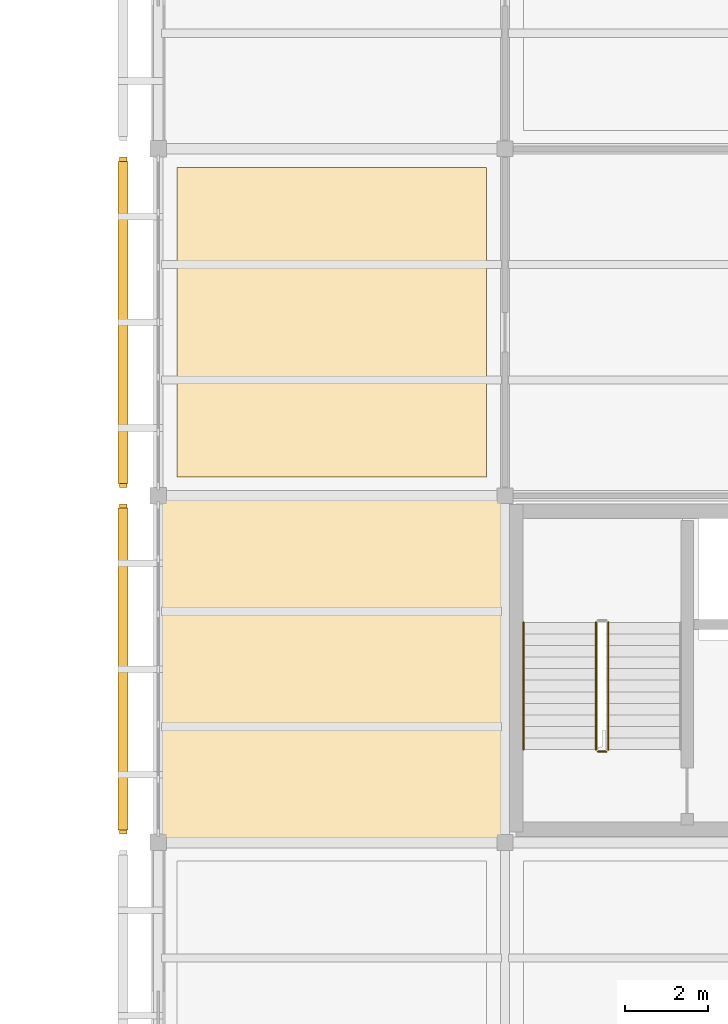
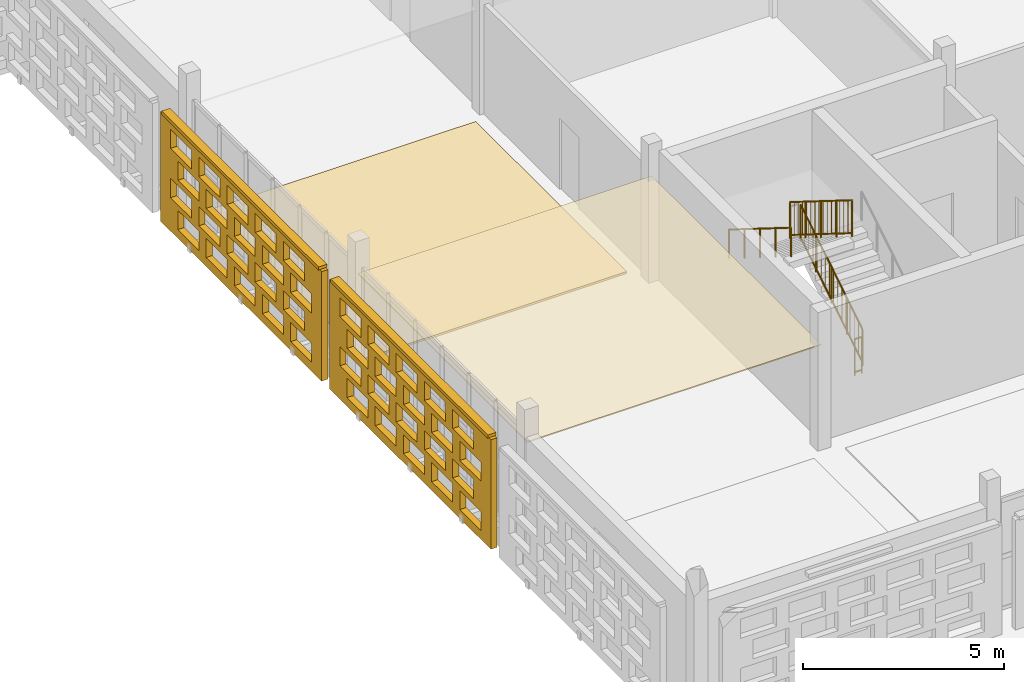
# One storey, part 98 of 140: 4 coverings, 4 railings, 2 shading devices, 40 openings.
"""IFC4 building model written with IfcOpenShell, lengths in metres."""

from ifc_helpers import new_model, si_unit, direction, frame, frame_2d, origin, origin_2d, place, context, subcontext, project, spatial, rectangle, circle, extrude, material, layer, layer_set, type_object, element, save


model = new_model("IFC4")

# Units and contexts
model_context = context("Model", 3, precision=1e-05, world=origin(), true_north=direction((0.0, 1.0)))
body_context = subcontext(model_context, "Body", "Model", "MODEL_VIEW")
ifc_project = project(units=[si_unit("LENGTHUNIT", "METRE"), si_unit("AREAUNIT", "SQUARE_METRE"), si_unit("VOLUMEUNIT", "CUBIC_METRE"), si_unit("PLANEANGLEUNIT", "RADIAN"), si_unit("MASSUNIT", "GRAM", prefix="KILO")], contexts=[model_context])

# Site, building, storey
site_placement = place(None, origin())
site = spatial("IfcSite", under=ifc_project, at=site_placement, CompositionType="ELEMENT")
building_placement = place(site_placement, origin())
building = spatial("IfcBuilding", under=site, at=building_placement, Name="Varnapada Polytechnic", CompositionType="ELEMENT")
storey_placement = place(building_placement, frame((0.0, 0.0, 13.800048828125)))
storey = spatial("IfcBuildingStorey", under=building, at=storey_placement, Name="L03", CompositionType="ELEMENT", Elevation=13.800048828125)

# Covering
ifc_material_1 = material(Name="Anti-Static Raised Laboratory Flooring")
ifc_layer_1 = layer(ifc_material_1, 0.06005859375)
ifc_layer_set_1 = layer_set([ifc_layer_1], Name="Anti-Static Raised Laboratory Flooring")
covering_type_1 = type_object("IfcCoveringType", Name="Floor Finish FLR-02", PredefinedType="FLOORING", material=ifc_layer_set_1)
covering_1_placement = place(storey_placement, frame((12.60009765625, 29.39990234375, 0.0), z_axis=(0.0, 0.0, 1.0), x_axis=(1.0, 0.0, 0.0)))
element("IfcCovering", 1, at=covering_1_placement, inside=storey, type_object=covering_type_1, Name="L03 floor finish panel (2,4)", PredefinedType="FLOORING", context=body_context, shape_type="SweptSolid", body=[
    extrude(rectangle(XDim=7.5, YDim=7.5, at=origin_2d()), origin(), (0.0, 0.0, 1.0), 0.06005859375),
])

# Railings
ifc_material_2 = material(Name="Brushed Stainless Steel 316", Category="steel")
railing_type_1 = type_object("IfcRailingType", Name="Stair Wall Handrail SHR-01", PredefinedType="HANDRAIL", material=ifc_material_2)
railing_1_placement = place(storey_placement, frame((17.25, 22.1298828125, 2.27490234375)))
element("IfcRailing", 2, at=railing_1_placement, inside=storey, type_object=railing_type_1, Name="L03 ST-3 stair handrail 2", PredefinedType="HANDRAIL", context=body_context, shape_type="SweptSolid", body=[
    extrude(circle(Radius=0.02392578125, at=origin_2d()), frame((0.0, 0.0, 0.8759765625), z_axis=(0.0, -0.847979421464, 0.530029150871), x_axis=(1.0, 0.0, 0.0)), (0.0, 0.0, 1.0), 3.632080078125),
    extrude(circle(Radius=0.02099609375, at=origin_2d()), origin(), (0.0, 0.0, 1.0), 0.851806640625),
    extrude(circle(Radius=0.02099609375, at=origin_2d()), frame((0.0, -0.77001953125, 0.481201171875)), (0.0, 0.0, 1.0), 0.851806640625),
    extrude(circle(Radius=0.02099609375, at=origin_2d()), frame((0.0, -1.5400390625, 0.96240234375)), (0.0, 0.0, 1.0), 0.851806640625),
    extrude(circle(Radius=0.02099609375, at=origin_2d()), frame((0.0, -2.309814453125, 1.44384765625)), (0.0, 0.0, 1.0), 0.851806640625),
    extrude(circle(Radius=0.02099609375, at=origin_2d()), frame((0.0, -3.079833984375, 1.925048828125)), (0.0, 0.0, 1.0), 0.851806640625),
])
railing_type_2 = type_object("IfcRailingType", Name="Stair Well Guard Rail SGR-01", PredefinedType="BALUSTRADE", material=ifc_material_2)
railing_2_placement = place(storey_placement, frame((19.300048828125, 19.050048828125, 0.175048828125)))
element("IfcRailing", 3, at=railing_2_placement, inside=storey, type_object=railing_type_2, Name="L03 ST-3 stair guard 1", PredefinedType="BALUSTRADE", context=body_context, shape_type="SweptSolid", body=[
    extrude(circle(Radius=0.02392578125, at=origin_2d()), frame((0.0, 0.0, 1.09619140625), z_axis=(0.0, 0.848009633417, 0.529980812513), x_axis=(-1.0, 0.0, 0.0)), (0.0, 0.0, 1.0), 3.6318359375),
    extrude(circle(Radius=0.02392578125, at=origin_2d()), frame((0.0, 0.0, 0.10009765625), z_axis=(0.0, 0.848009633417, 0.529980812513), x_axis=(-1.0, 0.0, 0.0)), (0.0, 0.0, 1.0), 3.6318359375),
    extrude(circle(Radius=0.02099609375, at=origin_2d()), origin(), (0.0, 0.0, 1.0), 1.072021484375),
    extrude(circle(Radius=0.02099609375, at=origin_2d()), frame((0.0, 0.77001953125, 0.481201171875)), (0.0, 0.0, 1.0), 1.072021484375),
    extrude(circle(Radius=0.02099609375, at=origin_2d()), frame((0.0, 1.5400390625, 0.96240234375)), (0.0, 0.0, 1.0), 1.072021484375),
    extrude(circle(Radius=0.02099609375, at=origin_2d()), frame((0.0, 2.309814453125, 1.443603515625)), (0.0, 0.0, 1.0), 1.072021484375),
    extrude(circle(Radius=0.02099609375, at=origin_2d()), frame((0.0, 3.079833984375, 1.9248046875)), (0.0, 0.0, 1.0), 1.072021484375),
    extrude(circle(Radius=0.010009765625, at=origin_2d()), frame((0.0, 0.205322265625, 0.228515625)), (0.0, 0.0, 1.0), 0.971923828125),
    extrude(circle(Radius=0.010009765625, at=origin_2d()), frame((0.0, 0.41064453125, 0.356689453125)), (0.0, 0.0, 1.0), 0.971923828125),
    extrude(circle(Radius=0.010009765625, at=origin_2d()), frame((0.0, 0.615966796875, 0.485107421875)), (0.0, 0.0, 1.0), 0.971923828125),
    extrude(circle(Radius=0.010009765625, at=origin_2d()), frame((0.0, 0.8212890625, 0.61328125)), (0.0, 0.0, 1.0), 0.971923828125),
    extrude(circle(Radius=0.010009765625, at=origin_2d()), frame((0.0, 1.026611328125, 0.74169921875)), (0.0, 0.0, 1.0), 0.971923828125),
    extrude(circle(Radius=0.010009765625, at=origin_2d()), frame((0.0, 1.23193359375, 0.8701171875)), (0.0, 0.0, 1.0), 0.971923828125),
    extrude(circle(Radius=0.010009765625, at=origin_2d()), frame((0.0, 1.437255859375, 0.998291015625)), (0.0, 0.0, 1.0), 0.971923828125),
    extrude(circle(Radius=0.010009765625, at=origin_2d()), frame((0.0, 1.642578125, 1.126708984375)), (0.0, 0.0, 1.0), 0.971923828125),
    extrude(circle(Radius=0.010009765625, at=origin_2d()), frame((0.0, 1.847900390625, 1.2548828125)), (0.0, 0.0, 1.0), 0.971923828125),
    extrude(circle(Radius=0.010009765625, at=origin_2d()), frame((0.0, 2.05322265625, 1.38330078125)), (0.0, 0.0, 1.0), 0.971923828125),
    extrude(circle(Radius=0.010009765625, at=origin_2d()), frame((0.0, 2.258544921875, 1.51171875)), (0.0, 0.0, 1.0), 0.971923828125),
    extrude(circle(Radius=0.010009765625, at=origin_2d()), frame((0.0, 2.4638671875, 1.639892578125)), (0.0, 0.0, 1.0), 0.971923828125),
    extrude(circle(Radius=0.010009765625, at=origin_2d()), frame((0.0, 2.669189453125, 1.768310546875)), (0.0, 0.0, 1.0), 0.971923828125),
    extrude(circle(Radius=0.010009765625, at=origin_2d()), frame((0.0, 2.87451171875, 1.896484375)), (0.0, 0.0, 1.0), 0.971923828125),
])
railing_3_placement = place(storey_placement, frame((19.0, 22.1298828125, 2.27490234375)))
element("IfcRailing", 4, at=railing_3_placement, inside=storey, type_object=railing_type_2, Name="L03 ST-3 stair guard 3", PredefinedType="BALUSTRADE", context=body_context, shape_type="SweptSolid", body=[
    extrude(circle(Radius=0.02392578125, at=origin_2d()), frame((0.0, 0.0, 1.09619140625), z_axis=(0.0, -0.847979421464, 0.530029150871), x_axis=(1.0, 0.0, 0.0)), (0.0, 0.0, 1.0), 3.632080078125),
    extrude(circle(Radius=0.02392578125, at=origin_2d()), frame((0.0, 0.0, 0.10009765625), z_axis=(0.0, -0.847979421464, 0.530029150871), x_axis=(1.0, 0.0, 0.0)), (0.0, 0.0, 1.0), 3.632080078125),
    extrude(circle(Radius=0.02099609375, at=origin_2d()), origin(), (0.0, 0.0, 1.0), 1.072021484375),
    extrude(circle(Radius=0.02099609375, at=origin_2d()), frame((0.0, -0.77001953125, 0.481201171875)), (0.0, 0.0, 1.0), 1.072021484375),
    extrude(circle(Radius=0.02099609375, at=origin_2d()), frame((0.0, -1.5400390625, 0.96240234375)), (0.0, 0.0, 1.0), 1.072021484375),
    extrude(circle(Radius=0.02099609375, at=origin_2d()), frame((0.0, -2.309814453125, 1.44384765625)), (0.0, 0.0, 1.0), 1.072021484375),
    extrude(circle(Radius=0.02099609375, at=origin_2d()), frame((0.0, -3.079833984375, 1.925048828125)), (0.0, 0.0, 1.0), 1.072021484375),
    extrude(circle(Radius=0.010009765625, at=origin_2d()), frame((0.0, -0.205322265625, 0.228515625)), (0.0, 0.0, 1.0), 0.971923828125),
    extrude(circle(Radius=0.010009765625, at=origin_2d()), frame((0.0, -0.41064453125, 0.356689453125)), (0.0, 0.0, 1.0), 0.971923828125),
    extrude(circle(Radius=0.010009765625, at=origin_2d()), frame((0.0, -0.615966796875, 0.485107421875)), (0.0, 0.0, 1.0), 0.971923828125),
    extrude(circle(Radius=0.010009765625, at=origin_2d()), frame((0.0, -0.8212890625, 0.613525390625)), (0.0, 0.0, 1.0), 0.971923828125),
    extrude(circle(Radius=0.010009765625, at=origin_2d()), frame((0.0, -1.026611328125, 0.74169921875)), (0.0, 0.0, 1.0), 0.971923828125),
    extrude(circle(Radius=0.010009765625, at=origin_2d()), frame((0.0, -1.23193359375, 0.8701171875)), (0.0, 0.0, 1.0), 0.971923828125),
    extrude(circle(Radius=0.010009765625, at=origin_2d()), frame((0.0, -1.437255859375, 0.99853515625)), (0.0, 0.0, 1.0), 0.971923828125),
    extrude(circle(Radius=0.010009765625, at=origin_2d()), frame((0.0, -1.642578125, 1.126708984375)), (0.0, 0.0, 1.0), 0.971923828125),
    extrude(circle(Radius=0.010009765625, at=origin_2d()), frame((0.0, -1.847900390625, 1.255126953125)), (0.0, 0.0, 1.0), 0.971923828125),
    extrude(circle(Radius=0.010009765625, at=origin_2d()), frame((0.0, -2.05322265625, 1.383544921875)), (0.0, 0.0, 1.0), 0.971923828125),
    extrude(circle(Radius=0.010009765625, at=origin_2d()), frame((0.0, -2.258544921875, 1.51171875)), (0.0, 0.0, 1.0), 0.971923828125),
    extrude(circle(Radius=0.010009765625, at=origin_2d()), frame((0.0, -2.4638671875, 1.64013671875)), (0.0, 0.0, 1.0), 0.971923828125),
    extrude(circle(Radius=0.010009765625, at=origin_2d()), frame((0.0, -2.669189453125, 1.7685546875)), (0.0, 0.0, 1.0), 0.971923828125),
    extrude(circle(Radius=0.010009765625, at=origin_2d()), frame((0.0, -2.87451171875, 1.896728515625)), (0.0, 0.0, 1.0), 0.971923828125),
])
railing_4_placement = place(storey_placement, frame((19.25, 19.0, 0.0)))
element("IfcRailing", 5, at=railing_4_placement, inside=storey, type_object=railing_type_2, Name="L03 ST-3 stair guard 4", PredefinedType="BALUSTRADE", context=body_context, shape_type="SweptSolid", body=[
    extrude(circle(Radius=0.02392578125, at=origin_2d()), frame((0.0, 0.0, 1.09619140625), z_axis=(-1.0, 0.0, 0.0), x_axis=(0.0, -1.0, 0.0)), (0.0, 0.0, 1.0), 0.199951171875),
    extrude(circle(Radius=0.02392578125, at=origin_2d()), frame((0.0, 0.0, 0.10009765625), z_axis=(-1.0, 0.0, 0.0), x_axis=(0.0, -1.0, 0.0)), (0.0, 0.0, 1.0), 0.199951171875),
    extrude(circle(Radius=0.02099609375, at=origin_2d()), origin(), (0.0, 0.0, 1.0), 1.072021484375),
    extrude(circle(Radius=0.02099609375, at=origin_2d()), frame((-0.199951171875, 0.0, 0.0)), (0.0, 0.0, 1.0), 1.072021484375),
])

# Covering
ifc_material_3 = material(Name="Cleanroom Laboratory Metal Pan Ceiling")
ifc_layer_2 = layer(ifc_material_3, 0.034912109375)
ifc_layer_set_2 = layer_set([ifc_layer_2], Name="Cleanroom Laboratory Metal Pan Ceiling")
covering_type_2 = type_object("IfcCoveringType", Name="Suspended Ceiling CLG-06", PredefinedType="CEILING", material=ifc_layer_set_2)
covering_2_placement = place(storey_placement, frame((12.60009765625, 21.0, 3.03271484375), z_axis=(0.0, 0.0, 1.0), x_axis=(1.0, 0.0, 0.0)))
element("IfcCovering", 6, at=covering_2_placement, inside=storey, type_object=covering_type_2, Name="L03 suspended acoustic ceiling (2,3)", PredefinedType="CEILING", context=body_context, shape_type="SweptSolid", body=[
    extrude(rectangle(XDim=8.419921875, YDim=8.419921875, at=origin_2d()), origin(), (0.0, 0.0, 1.0), 0.034912109375),
])

# Covering, openings
ifc_material_4 = material(Name="Earth-toned architectural terracotta screen block", Category="masonry")
ifc_layer_3 = layer(ifc_material_4, 0.1201171875)
ifc_layer_set_3 = layer_set([ifc_layer_3], Name="Earth-toned architectural terracotta screen block")
covering_type_3 = type_object("IfcCoveringType", Name="Terracotta Screen Cladding CLD-01", PredefinedType="CLADDING", material=ifc_layer_set_3)
covering_3_placement = place(storey_placement, frame((7.550048828125, 17.0, 0.0), z_axis=(0.0, 0.0, 1.0), x_axis=(0.0, 1.0, 0.0)))
covering_3 = element("IfcCovering", 7, at=covering_3_placement, inside=storey, type_object=covering_type_3, Name="L03 perforated terracotta block screen (15)", PredefinedType="CLADDING", context=body_context, shape_type="SweptSolid", body=[
    extrude(rectangle(XDim=8.0, YDim=0.179931640625, at=frame_2d((4.0, 0.0))), origin(), (0.0, 0.0, 1.0), 3.320068359375),
])
opening_1_placement = place(covering_3_placement, frame((0.5, 0.0, 0.265625)))
element("IfcOpeningElement", 8, at=opening_1_placement, cuts=covering_3, Name="Screen perforation TBS-L03-014.1", PredefinedType="OPENING", context=body_context, shape_type="SweptSolid", body=[
    extrude(rectangle(XDim=1.0400390625, YDim=0.5810546875, at=frame_2d((0.52001953125, 0.29052734375))), frame((0.0, 0.099853515625, 0.0), z_axis=(0.0, -1.0, 0.0), x_axis=(1.0, 0.0, 0.0)), (0.0, 0.0, 1.0), 0.199951171875),
])
opening_2_placement = place(covering_3_placement, frame((1.89990234375, 0.0, 0.265625)))
element("IfcOpeningElement", 9, at=opening_2_placement, cuts=covering_3, Name="Screen perforation TBS-L03-014.2", PredefinedType="OPENING", context=body_context, shape_type="SweptSolid", body=[
    extrude(rectangle(XDim=1.0400390625, YDim=0.5810546875, at=frame_2d((0.52001953125, 0.29052734375))), frame((0.0, 0.099853515625, 0.0), z_axis=(0.0, -1.0, 0.0), x_axis=(1.0, 0.0, 0.0)), (0.0, 0.0, 1.0), 0.199951171875),
])
opening_3_placement = place(covering_3_placement, frame((3.300048828125, 0.0, 0.265625)))
element("IfcOpeningElement", 10, at=opening_3_placement, cuts=covering_3, Name="Screen perforation TBS-L03-014.3", PredefinedType="OPENING", context=body_context, shape_type="SweptSolid", body=[
    extrude(rectangle(XDim=1.0400390625, YDim=0.5810546875, at=frame_2d((0.52001953125, 0.29052734375))), frame((0.0, 0.099853515625, 0.0), z_axis=(0.0, -1.0, 0.0), x_axis=(1.0, 0.0, 0.0)), (0.0, 0.0, 1.0), 0.199951171875),
])
opening_4_placement = place(covering_3_placement, frame((4.699951171875, 0.0, 0.265625)))
element("IfcOpeningElement", 11, at=opening_4_placement, cuts=covering_3, Name="Screen perforation TBS-L03-014.4", PredefinedType="OPENING", context=body_context, shape_type="SweptSolid", body=[
    extrude(rectangle(XDim=1.0400390625, YDim=0.5810546875, at=frame_2d((0.52001953125, 0.29052734375))), frame((0.0, 0.099853515625, 0.0), z_axis=(0.0, -1.0, 0.0), x_axis=(1.0, 0.0, 0.0)), (0.0, 0.0, 1.0), 0.199951171875),
])
opening_5_placement = place(covering_3_placement, frame((6.10009765625, 0.0, 0.265625)))
element("IfcOpeningElement", 12, at=opening_5_placement, cuts=covering_3, Name="Screen perforation TBS-L03-014.5", PredefinedType="OPENING", context=body_context, shape_type="SweptSolid", body=[
    extrude(rectangle(XDim=1.0400390625, YDim=0.5810546875, at=frame_2d((0.52001953125, 0.29052734375))), frame((0.0, 0.099853515625, 0.0), z_axis=(0.0, -1.0, 0.0), x_axis=(1.0, 0.0, 0.0)), (0.0, 0.0, 1.0), 0.199951171875),
])
opening_6_placement = place(covering_3_placement, frame((0.860107421875, 0.0, 1.0126953125)))
element("IfcOpeningElement", 13, at=opening_6_placement, cuts=covering_3, Name="Screen perforation TBS-L03-014.6", PredefinedType="OPENING", context=body_context, shape_type="SweptSolid", body=[
    extrude(rectangle(XDim=1.0400390625, YDim=0.5810546875, at=frame_2d((0.52001953125, 0.29052734375))), frame((0.0, 0.099853515625, 0.0), z_axis=(0.0, -1.0, 0.0), x_axis=(1.0, 0.0, 0.0)), (0.0, 0.0, 1.0), 0.199951171875),
])
opening_7_placement = place(covering_3_placement, frame((2.260009765625, 0.0, 1.0126953125)))
element("IfcOpeningElement", 14, at=opening_7_placement, cuts=covering_3, Name="Screen perforation TBS-L03-014.7", PredefinedType="OPENING", context=body_context, shape_type="SweptSolid", body=[
    extrude(rectangle(XDim=1.0400390625, YDim=0.5810546875, at=frame_2d((0.52001953125, 0.29052734375))), frame((0.0, 0.099853515625, 0.0), z_axis=(0.0, -1.0, 0.0), x_axis=(1.0, 0.0, 0.0)), (0.0, 0.0, 1.0), 0.199951171875),
])
opening_8_placement = place(covering_3_placement, frame((3.659912109375, 0.0, 1.0126953125)))
element("IfcOpeningElement", 15, at=opening_8_placement, cuts=covering_3, Name="Screen perforation TBS-L03-014.8", PredefinedType="OPENING", context=body_context, shape_type="SweptSolid", body=[
    extrude(rectangle(XDim=1.0400390625, YDim=0.5810546875, at=frame_2d((0.52001953125, 0.29052734375))), frame((0.0, 0.099853515625, 0.0), z_axis=(0.0, -1.0, 0.0), x_axis=(1.0, 0.0, 0.0)), (0.0, 0.0, 1.0), 0.199951171875),
])
opening_9_placement = place(covering_3_placement, frame((5.06005859375, 0.0, 1.0126953125)))
element("IfcOpeningElement", 16, at=opening_9_placement, cuts=covering_3, Name="Screen perforation TBS-L03-014.9", PredefinedType="OPENING", context=body_context, shape_type="SweptSolid", body=[
    extrude(rectangle(XDim=1.0400390625, YDim=0.5810546875, at=frame_2d((0.52001953125, 0.29052734375))), frame((0.0, 0.099853515625, 0.0), z_axis=(0.0, -1.0, 0.0), x_axis=(1.0, 0.0, 0.0)), (0.0, 0.0, 1.0), 0.199951171875),
])
opening_10_placement = place(covering_3_placement, frame((6.4599609375, 0.0, 1.0126953125)))
element("IfcOpeningElement", 17, at=opening_10_placement, cuts=covering_3, Name="Screen perforation TBS-L03-014.10", PredefinedType="OPENING", context=body_context, shape_type="SweptSolid", body=[
    extrude(rectangle(XDim=1.0400390625, YDim=0.5810546875, at=frame_2d((0.52001953125, 0.29052734375))), frame((0.0, 0.099853515625, 0.0), z_axis=(0.0, -1.0, 0.0), x_axis=(1.0, 0.0, 0.0)), (0.0, 0.0, 1.0), 0.199951171875),
])
opening_11_placement = place(covering_3_placement, frame((0.5, 0.0, 1.759521484375)))
element("IfcOpeningElement", 18, at=opening_11_placement, cuts=covering_3, Name="Screen perforation TBS-L03-014.11", PredefinedType="OPENING", context=body_context, shape_type="SweptSolid", body=[
    extrude(rectangle(XDim=1.0400390625, YDim=0.5810546875, at=frame_2d((0.52001953125, 0.29052734375))), frame((0.0, 0.099853515625, 0.0), z_axis=(0.0, -1.0, 0.0), x_axis=(1.0, 0.0, 0.0)), (0.0, 0.0, 1.0), 0.199951171875),
])
opening_12_placement = place(covering_3_placement, frame((1.89990234375, 0.0, 1.759521484375)))
element("IfcOpeningElement", 19, at=opening_12_placement, cuts=covering_3, Name="Screen perforation TBS-L03-014.12", PredefinedType="OPENING", context=body_context, shape_type="SweptSolid", body=[
    extrude(rectangle(XDim=1.0400390625, YDim=0.5810546875, at=frame_2d((0.52001953125, 0.29052734375))), frame((0.0, 0.099853515625, 0.0), z_axis=(0.0, -1.0, 0.0), x_axis=(1.0, 0.0, 0.0)), (0.0, 0.0, 1.0), 0.199951171875),
])
opening_13_placement = place(covering_3_placement, frame((3.300048828125, 0.0, 1.759521484375)))
element("IfcOpeningElement", 20, at=opening_13_placement, cuts=covering_3, Name="Screen perforation TBS-L03-014.13", PredefinedType="OPENING", context=body_context, shape_type="SweptSolid", body=[
    extrude(rectangle(XDim=1.0400390625, YDim=0.5810546875, at=frame_2d((0.52001953125, 0.29052734375))), frame((0.0, 0.099853515625, 0.0), z_axis=(0.0, -1.0, 0.0), x_axis=(1.0, 0.0, 0.0)), (0.0, 0.0, 1.0), 0.199951171875),
])
opening_14_placement = place(covering_3_placement, frame((4.699951171875, 0.0, 1.759521484375)))
element("IfcOpeningElement", 21, at=opening_14_placement, cuts=covering_3, Name="Screen perforation TBS-L03-014.14", PredefinedType="OPENING", context=body_context, shape_type="SweptSolid", body=[
    extrude(rectangle(XDim=1.0400390625, YDim=0.5810546875, at=frame_2d((0.52001953125, 0.29052734375))), frame((0.0, 0.099853515625, 0.0), z_axis=(0.0, -1.0, 0.0), x_axis=(1.0, 0.0, 0.0)), (0.0, 0.0, 1.0), 0.199951171875),
])
opening_15_placement = place(covering_3_placement, frame((6.10009765625, 0.0, 1.759521484375)))
element("IfcOpeningElement", 22, at=opening_15_placement, cuts=covering_3, Name="Screen perforation TBS-L03-014.15", PredefinedType="OPENING", context=body_context, shape_type="SweptSolid", body=[
    extrude(rectangle(XDim=1.0400390625, YDim=0.5810546875, at=frame_2d((0.52001953125, 0.29052734375))), frame((0.0, 0.099853515625, 0.0), z_axis=(0.0, -1.0, 0.0), x_axis=(1.0, 0.0, 0.0)), (0.0, 0.0, 1.0), 0.199951171875),
])
opening_16_placement = place(covering_3_placement, frame((0.860107421875, 0.0, 2.506591796875)))
element("IfcOpeningElement", 23, at=opening_16_placement, cuts=covering_3, Name="Screen perforation TBS-L03-014.16", PredefinedType="OPENING", context=body_context, shape_type="SweptSolid", body=[
    extrude(rectangle(XDim=1.0400390625, YDim=0.5810546875, at=frame_2d((0.52001953125, 0.29052734375))), frame((0.0, 0.099853515625, 0.0), z_axis=(0.0, -1.0, 0.0), x_axis=(1.0, 0.0, 0.0)), (0.0, 0.0, 1.0), 0.199951171875),
])
opening_17_placement = place(covering_3_placement, frame((2.260009765625, 0.0, 2.506591796875)))
element("IfcOpeningElement", 24, at=opening_17_placement, cuts=covering_3, Name="Screen perforation TBS-L03-014.17", PredefinedType="OPENING", context=body_context, shape_type="SweptSolid", body=[
    extrude(rectangle(XDim=1.0400390625, YDim=0.5810546875, at=frame_2d((0.52001953125, 0.29052734375))), frame((0.0, 0.099853515625, 0.0), z_axis=(0.0, -1.0, 0.0), x_axis=(1.0, 0.0, 0.0)), (0.0, 0.0, 1.0), 0.199951171875),
])
opening_18_placement = place(covering_3_placement, frame((3.659912109375, 0.0, 2.506591796875)))
element("IfcOpeningElement", 25, at=opening_18_placement, cuts=covering_3, Name="Screen perforation TBS-L03-014.18", PredefinedType="OPENING", context=body_context, shape_type="SweptSolid", body=[
    extrude(rectangle(XDim=1.0400390625, YDim=0.5810546875, at=frame_2d((0.52001953125, 0.29052734375))), frame((0.0, 0.099853515625, 0.0), z_axis=(0.0, -1.0, 0.0), x_axis=(1.0, 0.0, 0.0)), (0.0, 0.0, 1.0), 0.199951171875),
])
opening_19_placement = place(covering_3_placement, frame((5.06005859375, 0.0, 2.506591796875)))
element("IfcOpeningElement", 26, at=opening_19_placement, cuts=covering_3, Name="Screen perforation TBS-L03-014.19", PredefinedType="OPENING", context=body_context, shape_type="SweptSolid", body=[
    extrude(rectangle(XDim=1.0400390625, YDim=0.5810546875, at=frame_2d((0.52001953125, 0.29052734375))), frame((0.0, 0.099853515625, 0.0), z_axis=(0.0, -1.0, 0.0), x_axis=(1.0, 0.0, 0.0)), (0.0, 0.0, 1.0), 0.199951171875),
])
opening_20_placement = place(covering_3_placement, frame((6.4599609375, 0.0, 2.506591796875)))
element("IfcOpeningElement", 27, at=opening_20_placement, cuts=covering_3, Name="Screen perforation TBS-L03-014.20", PredefinedType="OPENING", context=body_context, shape_type="SweptSolid", body=[
    extrude(rectangle(XDim=1.0400390625, YDim=0.5810546875, at=frame_2d((0.52001953125, 0.29052734375))), frame((0.0, 0.099853515625, 0.0), z_axis=(0.0, -1.0, 0.0), x_axis=(1.0, 0.0, 0.0)), (0.0, 0.0, 1.0), 0.199951171875),
])

covering_4_placement = place(storey_placement, frame((7.550048828125, 25.39990234375, 0.0), z_axis=(0.0, 0.0, 1.0), x_axis=(0.0, 1.0, 0.0)))
covering_4 = element("IfcCovering", 28, at=covering_4_placement, inside=storey, type_object=covering_type_3, Name="L03 perforated terracotta block screen (16)", PredefinedType="CLADDING", context=body_context, shape_type="SweptSolid", body=[
    extrude(rectangle(XDim=8.0, YDim=0.179931640625, at=frame_2d((4.0, 0.0))), origin(), (0.0, 0.0, 1.0), 3.320068359375),
])
opening_21_placement = place(covering_4_placement, frame((0.5, 0.0, 0.265625)))
element("IfcOpeningElement", 29, at=opening_21_placement, cuts=covering_4, Name="Screen perforation TBS-L03-015.1", PredefinedType="OPENING", context=body_context, shape_type="SweptSolid", body=[
    extrude(rectangle(XDim=1.0400390625, YDim=0.5810546875, at=frame_2d((0.52001953125, 0.29052734375))), frame((0.0, 0.099853515625, 0.0), z_axis=(0.0, -1.0, 0.0), x_axis=(1.0, 0.0, 0.0)), (0.0, 0.0, 1.0), 0.199951171875),
])
opening_22_placement = place(covering_4_placement, frame((1.89990234375, 0.0, 0.265625)))
element("IfcOpeningElement", 30, at=opening_22_placement, cuts=covering_4, Name="Screen perforation TBS-L03-015.2", PredefinedType="OPENING", context=body_context, shape_type="SweptSolid", body=[
    extrude(rectangle(XDim=1.0400390625, YDim=0.5810546875, at=frame_2d((0.52001953125, 0.29052734375))), frame((0.0, 0.099853515625, 0.0), z_axis=(0.0, -1.0, 0.0), x_axis=(1.0, 0.0, 0.0)), (0.0, 0.0, 1.0), 0.199951171875),
])
opening_23_placement = place(covering_4_placement, frame((3.300048828125, 0.0, 0.265625)))
element("IfcOpeningElement", 31, at=opening_23_placement, cuts=covering_4, Name="Screen perforation TBS-L03-015.3", PredefinedType="OPENING", context=body_context, shape_type="SweptSolid", body=[
    extrude(rectangle(XDim=1.0400390625, YDim=0.5810546875, at=frame_2d((0.52001953125, 0.29052734375))), frame((0.0, 0.099853515625, 0.0), z_axis=(0.0, -1.0, 0.0), x_axis=(1.0, 0.0, 0.0)), (0.0, 0.0, 1.0), 0.199951171875),
])
opening_24_placement = place(covering_4_placement, frame((4.699951171875, 0.0, 0.265625)))
element("IfcOpeningElement", 32, at=opening_24_placement, cuts=covering_4, Name="Screen perforation TBS-L03-015.4", PredefinedType="OPENING", context=body_context, shape_type="SweptSolid", body=[
    extrude(rectangle(XDim=1.0400390625, YDim=0.5810546875, at=frame_2d((0.52001953125, 0.29052734375))), frame((0.0, 0.099853515625, 0.0), z_axis=(0.0, -1.0, 0.0), x_axis=(1.0, 0.0, 0.0)), (0.0, 0.0, 1.0), 0.199951171875),
])
opening_25_placement = place(covering_4_placement, frame((6.10009765625, 0.0, 0.265625)))
element("IfcOpeningElement", 33, at=opening_25_placement, cuts=covering_4, Name="Screen perforation TBS-L03-015.5", PredefinedType="OPENING", context=body_context, shape_type="SweptSolid", body=[
    extrude(rectangle(XDim=1.0400390625, YDim=0.5810546875, at=frame_2d((0.52001953125, 0.29052734375))), frame((0.0, 0.099853515625, 0.0), z_axis=(0.0, -1.0, 0.0), x_axis=(1.0, 0.0, 0.0)), (0.0, 0.0, 1.0), 0.199951171875),
])
opening_26_placement = place(covering_4_placement, frame((0.860107421875, 0.0, 1.0126953125)))
element("IfcOpeningElement", 34, at=opening_26_placement, cuts=covering_4, Name="Screen perforation TBS-L03-015.6", PredefinedType="OPENING", context=body_context, shape_type="SweptSolid", body=[
    extrude(rectangle(XDim=1.0400390625, YDim=0.5810546875, at=frame_2d((0.52001953125, 0.29052734375))), frame((0.0, 0.099853515625, 0.0), z_axis=(0.0, -1.0, 0.0), x_axis=(1.0, 0.0, 0.0)), (0.0, 0.0, 1.0), 0.199951171875),
])
opening_27_placement = place(covering_4_placement, frame((2.260009765625, 0.0, 1.0126953125)))
element("IfcOpeningElement", 35, at=opening_27_placement, cuts=covering_4, Name="Screen perforation TBS-L03-015.7", PredefinedType="OPENING", context=body_context, shape_type="SweptSolid", body=[
    extrude(rectangle(XDim=1.0400390625, YDim=0.5810546875, at=frame_2d((0.52001953125, 0.29052734375))), frame((0.0, 0.099853515625, 0.0), z_axis=(0.0, -1.0, 0.0), x_axis=(1.0, 0.0, 0.0)), (0.0, 0.0, 1.0), 0.199951171875),
])
opening_28_placement = place(covering_4_placement, frame((3.659912109375, 0.0, 1.0126953125)))
element("IfcOpeningElement", 36, at=opening_28_placement, cuts=covering_4, Name="Screen perforation TBS-L03-015.8", PredefinedType="OPENING", context=body_context, shape_type="SweptSolid", body=[
    extrude(rectangle(XDim=1.0400390625, YDim=0.5810546875, at=frame_2d((0.52001953125, 0.29052734375))), frame((0.0, 0.099853515625, 0.0), z_axis=(0.0, -1.0, 0.0), x_axis=(1.0, 0.0, 0.0)), (0.0, 0.0, 1.0), 0.199951171875),
])
opening_29_placement = place(covering_4_placement, frame((5.06005859375, 0.0, 1.0126953125)))
element("IfcOpeningElement", 37, at=opening_29_placement, cuts=covering_4, Name="Screen perforation TBS-L03-015.9", PredefinedType="OPENING", context=body_context, shape_type="SweptSolid", body=[
    extrude(rectangle(XDim=1.0400390625, YDim=0.5810546875, at=frame_2d((0.52001953125, 0.29052734375))), frame((0.0, 0.099853515625, 0.0), z_axis=(0.0, -1.0, 0.0), x_axis=(1.0, 0.0, 0.0)), (0.0, 0.0, 1.0), 0.199951171875),
])
opening_30_placement = place(covering_4_placement, frame((6.4599609375, 0.0, 1.0126953125)))
element("IfcOpeningElement", 38, at=opening_30_placement, cuts=covering_4, Name="Screen perforation TBS-L03-015.10", PredefinedType="OPENING", context=body_context, shape_type="SweptSolid", body=[
    extrude(rectangle(XDim=1.0400390625, YDim=0.5810546875, at=frame_2d((0.52001953125, 0.29052734375))), frame((0.0, 0.099853515625, 0.0), z_axis=(0.0, -1.0, 0.0), x_axis=(1.0, 0.0, 0.0)), (0.0, 0.0, 1.0), 0.199951171875),
])
opening_31_placement = place(covering_4_placement, frame((0.5, 0.0, 1.759521484375)))
element("IfcOpeningElement", 39, at=opening_31_placement, cuts=covering_4, Name="Screen perforation TBS-L03-015.11", PredefinedType="OPENING", context=body_context, shape_type="SweptSolid", body=[
    extrude(rectangle(XDim=1.0400390625, YDim=0.5810546875, at=frame_2d((0.52001953125, 0.29052734375))), frame((0.0, 0.099853515625, 0.0), z_axis=(0.0, -1.0, 0.0), x_axis=(1.0, 0.0, 0.0)), (0.0, 0.0, 1.0), 0.199951171875),
])
opening_32_placement = place(covering_4_placement, frame((1.89990234375, 0.0, 1.759521484375)))
element("IfcOpeningElement", 40, at=opening_32_placement, cuts=covering_4, Name="Screen perforation TBS-L03-015.12", PredefinedType="OPENING", context=body_context, shape_type="SweptSolid", body=[
    extrude(rectangle(XDim=1.0400390625, YDim=0.5810546875, at=frame_2d((0.52001953125, 0.29052734375))), frame((0.0, 0.099853515625, 0.0), z_axis=(0.0, -1.0, 0.0), x_axis=(1.0, 0.0, 0.0)), (0.0, 0.0, 1.0), 0.199951171875),
])
opening_33_placement = place(covering_4_placement, frame((3.300048828125, 0.0, 1.759521484375)))
element("IfcOpeningElement", 41, at=opening_33_placement, cuts=covering_4, Name="Screen perforation TBS-L03-015.13", PredefinedType="OPENING", context=body_context, shape_type="SweptSolid", body=[
    extrude(rectangle(XDim=1.0400390625, YDim=0.5810546875, at=frame_2d((0.52001953125, 0.29052734375))), frame((0.0, 0.099853515625, 0.0), z_axis=(0.0, -1.0, 0.0), x_axis=(1.0, 0.0, 0.0)), (0.0, 0.0, 1.0), 0.199951171875),
])
opening_34_placement = place(covering_4_placement, frame((4.699951171875, 0.0, 1.759521484375)))
element("IfcOpeningElement", 42, at=opening_34_placement, cuts=covering_4, Name="Screen perforation TBS-L03-015.14", PredefinedType="OPENING", context=body_context, shape_type="SweptSolid", body=[
    extrude(rectangle(XDim=1.0400390625, YDim=0.5810546875, at=frame_2d((0.52001953125, 0.29052734375))), frame((0.0, 0.099853515625, 0.0), z_axis=(0.0, -1.0, 0.0), x_axis=(1.0, 0.0, 0.0)), (0.0, 0.0, 1.0), 0.199951171875),
])
opening_35_placement = place(covering_4_placement, frame((6.10009765625, 0.0, 1.759521484375)))
element("IfcOpeningElement", 43, at=opening_35_placement, cuts=covering_4, Name="Screen perforation TBS-L03-015.15", PredefinedType="OPENING", context=body_context, shape_type="SweptSolid", body=[
    extrude(rectangle(XDim=1.0400390625, YDim=0.5810546875, at=frame_2d((0.52001953125, 0.29052734375))), frame((0.0, 0.099853515625, 0.0), z_axis=(0.0, -1.0, 0.0), x_axis=(1.0, 0.0, 0.0)), (0.0, 0.0, 1.0), 0.199951171875),
])
opening_36_placement = place(covering_4_placement, frame((0.860107421875, 0.0, 2.506591796875)))
element("IfcOpeningElement", 44, at=opening_36_placement, cuts=covering_4, Name="Screen perforation TBS-L03-015.16", PredefinedType="OPENING", context=body_context, shape_type="SweptSolid", body=[
    extrude(rectangle(XDim=1.0400390625, YDim=0.5810546875, at=frame_2d((0.52001953125, 0.29052734375))), frame((0.0, 0.099853515625, 0.0), z_axis=(0.0, -1.0, 0.0), x_axis=(1.0, 0.0, 0.0)), (0.0, 0.0, 1.0), 0.199951171875),
])
opening_37_placement = place(covering_4_placement, frame((2.260009765625, 0.0, 2.506591796875)))
element("IfcOpeningElement", 45, at=opening_37_placement, cuts=covering_4, Name="Screen perforation TBS-L03-015.17", PredefinedType="OPENING", context=body_context, shape_type="SweptSolid", body=[
    extrude(rectangle(XDim=1.0400390625, YDim=0.5810546875, at=frame_2d((0.52001953125, 0.29052734375))), frame((0.0, 0.099853515625, 0.0), z_axis=(0.0, -1.0, 0.0), x_axis=(1.0, 0.0, 0.0)), (0.0, 0.0, 1.0), 0.199951171875),
])
opening_38_placement = place(covering_4_placement, frame((3.659912109375, 0.0, 2.506591796875)))
element("IfcOpeningElement", 46, at=opening_38_placement, cuts=covering_4, Name="Screen perforation TBS-L03-015.18", PredefinedType="OPENING", context=body_context, shape_type="SweptSolid", body=[
    extrude(rectangle(XDim=1.0400390625, YDim=0.5810546875, at=frame_2d((0.52001953125, 0.29052734375))), frame((0.0, 0.099853515625, 0.0), z_axis=(0.0, -1.0, 0.0), x_axis=(1.0, 0.0, 0.0)), (0.0, 0.0, 1.0), 0.199951171875),
])
opening_39_placement = place(covering_4_placement, frame((5.06005859375, 0.0, 2.506591796875)))
element("IfcOpeningElement", 47, at=opening_39_placement, cuts=covering_4, Name="Screen perforation TBS-L03-015.19", PredefinedType="OPENING", context=body_context, shape_type="SweptSolid", body=[
    extrude(rectangle(XDim=1.0400390625, YDim=0.5810546875, at=frame_2d((0.52001953125, 0.29052734375))), frame((0.0, 0.099853515625, 0.0), z_axis=(0.0, -1.0, 0.0), x_axis=(1.0, 0.0, 0.0)), (0.0, 0.0, 1.0), 0.199951171875),
])
opening_40_placement = place(covering_4_placement, frame((6.4599609375, 0.0, 2.506591796875)))
element("IfcOpeningElement", 48, at=opening_40_placement, cuts=covering_4, Name="Screen perforation TBS-L03-015.20", PredefinedType="OPENING", context=body_context, shape_type="SweptSolid", body=[
    extrude(rectangle(XDim=1.0400390625, YDim=0.5810546875, at=frame_2d((0.52001953125, 0.29052734375))), frame((0.0, 0.099853515625, 0.0), z_axis=(0.0, -1.0, 0.0), x_axis=(1.0, 0.0, 0.0)), (0.0, 0.0, 1.0), 0.199951171875),
])

# Shading devices
ifc_layer_4 = layer(ifc_material_4, 0.179931640625)
ifc_layer_set_4 = layer_set([ifc_layer_4], Name="Earth-toned architectural terracotta screen block")
shading_device_type = type_object("IfcShadingDeviceType", Name="Terracotta Screen SCR-01", PredefinedType="USERDEFINED", material=ifc_layer_set_4)
for number, where, z_axis, x_axis, name in (
    (49, (7.550048828125, 21.0, 3.309814453125), (0.0, 0.0, 1.0), (0.0, 1.0, 0.0), "L03 perforated terracotta screen hood 350"),
    (50, (7.550048828125, 29.39990234375, 3.309814453125), (0.0, 0.0, 1.0), (0.0, 1.0, 0.0), "L03 perforated terracotta screen hood 351"),
):
    element("IfcShadingDevice", number, at=place(storey_placement, frame(where, z_axis=z_axis, x_axis=x_axis)), inside=storey, type_object=shading_device_type, Name=name, ObjectType="SCREEN", PredefinedType="USERDEFINED", context=body_context, shape_type="SweptSolid", body=[
        extrude(rectangle(XDim=7.800048828125, YDim=0.239990234375, at=origin_2d()), origin(), (0.0, 0.0, 1.0), 0.10009765625),
    ])

save(model, "model.ifc")
